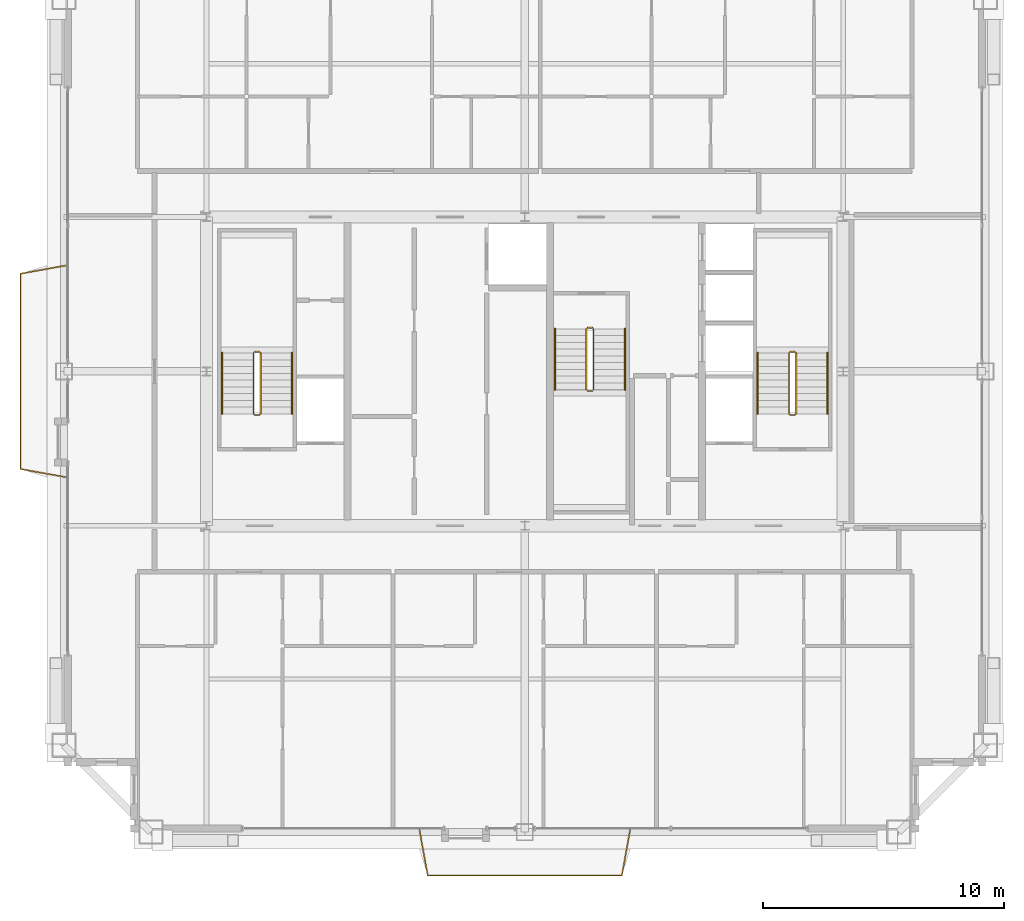
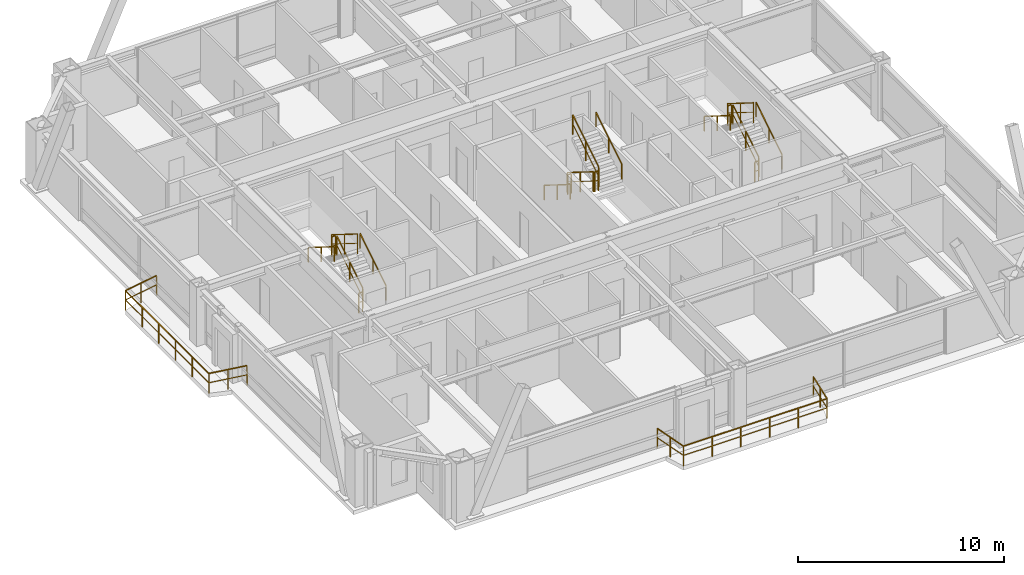
# One storey, part 33 of 33: 20 railings.
"""IFC4 building model written with IfcOpenShell, lengths in metres."""

from ifc_helpers import new_model, si_unit, direction, frame, origin, origin_2d, place, context, subcontext, project, spatial, rectangle, extrude, source, transform, mapped, material, layer, layer_set, type_object, element, save


model = new_model("IFC4")

# Units and contexts
model_context = context("Model", 3, precision=1e-05, world=origin(), true_north=direction((0.0, 1.0)))
body_context = subcontext(model_context, "Body", "Model", "MODEL_VIEW")
ifc_project = project(units=[si_unit("LENGTHUNIT", "METRE"), si_unit("AREAUNIT", "SQUARE_METRE"), si_unit("VOLUMEUNIT", "CUBIC_METRE"), si_unit("PLANEANGLEUNIT", "RADIAN"), si_unit("MASSUNIT", "GRAM", prefix="KILO"), si_unit("THERMODYNAMICTEMPERATUREUNIT", "KELVIN"), si_unit("POWERUNIT", "WATT")], contexts=[model_context])

# Site, building, storey
site_placement = place(None, origin())
site = spatial("IfcSite", under=ifc_project, at=site_placement, CompositionType="ELEMENT")
building_placement = place(site_placement, origin())
building = spatial("IfcBuilding", under=site, at=building_placement, Name="Yuzanri Waterfront Tower", CompositionType="ELEMENT")
storey_placement = place(building_placement, frame((0.0, 0.0, 292.60009765625)))
storey = spatial("IfcBuildingStorey", under=building, at=storey_placement, Name="L78", CompositionType="ELEMENT", Elevation=292.60009765625)

# Railings
ifc_material_1 = material(Name="Anodized Architectural Bronze", Category="metal")
ifc_layer_1 = layer(ifc_material_1, 0.080078125)
ifc_layer_set_1 = layer_set([ifc_layer_1], Name="Anodized Architectural Bronze")
railing_type_1 = type_object("IfcRailingType", Name="Laminated Glass and Bronze Balcony Guardrail 1200", PredefinedType="BALUSTRADE", material=ifc_layer_set_1)
shared_shape_1 = source(origin(), body_context, "Body", "SweptSolid", [
    extrude(rectangle(XDim=0.050048828125, YDim=0.050048828125, at=origin_2d()), frame((0.0, 0.0, 1.1748046875), z_axis=(0.176608994286, -0.984281089495, 0.0), x_axis=(0.984281089495, 0.176608994286, 0.0)), (0.0, 0.0, 1.0), 1.982421875),
    extrude(rectangle(XDim=0.035888671875, YDim=0.030029296875, at=origin_2d()), frame((0.0, 0.0, 0.6240234375), z_axis=(0.176608994286, -0.984281089495, 0.0), x_axis=(0.984281089495, 0.176608994286, 0.0)), (0.0, 0.0, 1.0), 1.982421875),
    extrude(rectangle(XDim=0.050048828125, YDim=0.050048828125, at=origin_2d()), frame((0.35009765625, -1.951171875, 1.1748046875), z_axis=(1.0, 0.0, 0.0), x_axis=(0.0, 1.0, 0.0)), (0.0, 0.0, 1.0), 8.05078125),
    extrude(rectangle(XDim=0.035888671875, YDim=0.030029296875, at=origin_2d()), frame((0.35009765625, -1.951171875, 0.6240234375), z_axis=(1.0, 0.0, 0.0), x_axis=(0.0, 1.0, 0.0)), (0.0, 0.0, 1.0), 8.05078125),
    extrude(rectangle(XDim=0.050048828125, YDim=0.050048828125, at=origin_2d()), frame((8.40087890625, -1.951171875, 1.1748046875), z_axis=(0.176608994286, 0.984281089495, 0.0), x_axis=(-0.984281089495, 0.176608994286, 0.0)), (0.0, 0.0, 1.0), 1.982421875),
    extrude(rectangle(XDim=0.035888671875, YDim=0.030029296875, at=origin_2d()), frame((8.40087890625, -1.951171875, 0.6240234375), z_axis=(0.176608994286, 0.984281089495, 0.0), x_axis=(-0.984281089495, 0.176608994286, 0.0)), (0.0, 0.0, 1.0), 1.982421875),
    extrude(rectangle(XDim=0.0458984375, YDim=0.0458984375, at=origin_2d()), origin(), (0.0, 0.0, 1.0), 1.14990234375),
    extrude(rectangle(XDim=0.0458984375, YDim=0.0458984375, at=origin_2d()), frame((0.175048828125, -0.9755859375, 0.0)), (0.0, 0.0, 1.0), 1.14990234375),
    extrude(rectangle(XDim=0.0458984375, YDim=0.0458984375, at=origin_2d()), frame((0.35009765625, -1.951171875, 0.0)), (0.0, 0.0, 1.0), 1.14990234375),
    extrude(rectangle(XDim=0.0458984375, YDim=0.0458984375, at=origin_2d()), frame((1.960205078125, -1.951171875, 0.0)), (0.0, 0.0, 1.0), 1.14990234375),
    extrude(rectangle(XDim=0.0458984375, YDim=0.0458984375, at=origin_2d()), frame((3.5703125, -1.951171875, 0.0)), (0.0, 0.0, 1.0), 1.14990234375),
    extrude(rectangle(XDim=0.0458984375, YDim=0.0458984375, at=origin_2d()), frame((5.1806640625, -1.951171875, 0.0)), (0.0, 0.0, 1.0), 1.14990234375),
    extrude(rectangle(XDim=0.0458984375, YDim=0.0458984375, at=origin_2d()), frame((6.790771484375, -1.951171875, 0.0)), (0.0, 0.0, 1.0), 1.14990234375),
    extrude(rectangle(XDim=0.0458984375, YDim=0.0458984375, at=origin_2d()), frame((8.40087890625, -1.951171875, 0.0)), (0.0, 0.0, 1.0), 1.14990234375),
    extrude(rectangle(XDim=0.0458984375, YDim=0.0458984375, at=origin_2d()), frame((8.575927734375, -0.9755859375, 0.0)), (0.0, 0.0, 1.0), 1.14990234375),
    extrude(rectangle(XDim=0.0458984375, YDim=0.0458984375, at=origin_2d()), frame((8.7509765625, 0.0, 0.0)), (0.0, 0.0, 1.0), 1.14990234375),
])
railing_1_placement = place(storey_placement, frame((32.62451171875, 6.85009765625, 0.0)))
element("IfcRailing", 1, at=railing_1_placement, inside=storey, type_object=railing_type_1, Name="L78 S Engawa Terrace Guardrail", PredefinedType="BALUSTRADE", context=body_context, shape_type="MappedRepresentation", body=[
    mapped(shared_shape_1, transform((0.0, 0.0, 0.0), scale=1.0)),
])
shared_shape_2 = source(origin(), body_context, "Body", "SweptSolid", [
    extrude(rectangle(XDim=0.050048828125, YDim=0.050048828125, at=origin_2d()), frame((0.0, 0.0, 1.1748046875), z_axis=(-0.984277247398, 0.176630405803, 0.0), x_axis=(-0.176630405803, -0.984277247398, 0.0)), (0.0, 0.0, 1.0), 1.982177734375),
    extrude(rectangle(XDim=0.035888671875, YDim=0.030029296875, at=origin_2d()), frame((0.0, 0.0, 0.6240234375), z_axis=(-0.984277247398, 0.176630405803, 0.0), x_axis=(-0.176630405803, -0.984277247398, 0.0)), (0.0, 0.0, 1.0), 1.982177734375),
    extrude(rectangle(XDim=0.050048828125, YDim=0.050048828125, at=origin_2d()), frame((-1.950927734375, 0.35009765625, 1.1748046875), z_axis=(0.0, 1.0, 0.0), x_axis=(-1.0, 0.0, 0.0)), (0.0, 0.0, 1.0), 8.10009765625),
    extrude(rectangle(XDim=0.035888671875, YDim=0.030029296875, at=origin_2d()), frame((-1.950927734375, 0.35009765625, 0.6240234375), z_axis=(0.0, 1.0, 0.0), x_axis=(-1.0, 0.0, 0.0)), (0.0, 0.0, 1.0), 8.10009765625),
    extrude(rectangle(XDim=0.050048828125, YDim=0.050048828125, at=origin_2d()), frame((-1.950927734375, 8.4501953125, 1.1748046875), z_axis=(0.984298654701, 0.176511071479, 0.0), x_axis=(-0.176511071479, 0.984298654701, 0.0)), (0.0, 0.0, 1.0), 1.98193359375),
    extrude(rectangle(XDim=0.035888671875, YDim=0.030029296875, at=origin_2d()), frame((-1.950927734375, 8.4501953125, 0.6240234375), z_axis=(0.984298654701, 0.176511071479, 0.0), x_axis=(-0.176511071479, 0.984298654701, 0.0)), (0.0, 0.0, 1.0), 1.98193359375),
    extrude(rectangle(XDim=0.0458984375, YDim=0.0458984375, at=origin_2d()), origin(), (0.0, 0.0, 1.0), 1.14990234375),
    extrude(rectangle(XDim=0.0458984375, YDim=0.0458984375, at=origin_2d()), frame((-0.9755859375, 0.175048828125, 0.0)), (0.0, 0.0, 1.0), 1.14990234375),
    extrude(rectangle(XDim=0.0458984375, YDim=0.0458984375, at=origin_2d()), frame((-1.950927734375, 0.35009765625, 0.0)), (0.0, 0.0, 1.0), 1.14990234375),
    extrude(rectangle(XDim=0.0458984375, YDim=0.0458984375, at=origin_2d()), frame((-1.950927734375, 1.97021484375, 0.0)), (0.0, 0.0, 1.0), 1.14990234375),
    extrude(rectangle(XDim=0.0458984375, YDim=0.0458984375, at=origin_2d()), frame((-1.950927734375, 3.590087890625, 0.0)), (0.0, 0.0, 1.0), 1.14990234375),
    extrude(rectangle(XDim=0.0458984375, YDim=0.0458984375, at=origin_2d()), frame((-1.950927734375, 5.210205078125, 0.0)), (0.0, 0.0, 1.0), 1.14990234375),
    extrude(rectangle(XDim=0.0458984375, YDim=0.0458984375, at=origin_2d()), frame((-1.950927734375, 6.830078125, 0.0)), (0.0, 0.0, 1.0), 1.14990234375),
    extrude(rectangle(XDim=0.0458984375, YDim=0.0458984375, at=origin_2d()), frame((-1.950927734375, 8.4501953125, 0.0)), (0.0, 0.0, 1.0), 1.14990234375),
    extrude(rectangle(XDim=0.0458984375, YDim=0.0458984375, at=origin_2d()), frame((-0.9755859375, 8.625, 0.0)), (0.0, 0.0, 1.0), 1.14990234375),
    extrude(rectangle(XDim=0.0458984375, YDim=0.0458984375, at=origin_2d()), frame((0.0, 8.800048828125, 0.0)), (0.0, 0.0, 1.0), 1.14990234375),
])
railing_2_placement = place(storey_placement, frame((18.050048828125, 21.39990234375, 0.0)))
element("IfcRailing", 2, at=railing_2_placement, inside=storey, type_object=railing_type_1, Name="L78 W Engawa Terrace Guardrail", PredefinedType="BALUSTRADE", context=body_context, shape_type="MappedRepresentation", body=[
    mapped(shared_shape_2, transform((0.0, 0.0, 0.0), scale=1.0)),
])
ifc_material_2 = material(Name="Painted Galvanized Fire Steel", Category="steel")
ifc_layer_2 = layer(ifc_material_2, 0.06005859375)
ifc_layer_set_2 = layer_set([ifc_layer_2], Name="Painted Galvanized Fire Steel")
railing_type_2 = type_object("IfcRailingType", Name="Painted Steel Stairwell Guardrail 1120", PredefinedType="GUARDRAIL", material=ifc_layer_set_2)
shared_shape_3 = source(origin(), body_context, "Body", "SweptSolid", [
    extrude(rectangle(XDim=0.050048828125, YDim=0.050048828125, at=origin_2d()), frame((0.0, 0.0, 1.1748046875), z_axis=(-1.0, 0.0, 0.0), x_axis=(0.0, -1.0, 0.0)), (0.0, 0.0, 1.0), 0.199951171875),
    extrude(rectangle(XDim=0.035888671875, YDim=0.030029296875, at=origin_2d()), frame((0.0, 0.0, 0.6240234375), z_axis=(-1.0, 0.0, 0.0), x_axis=(0.0, -1.0, 0.0)), (0.0, 0.0, 1.0), 0.199951171875),
    extrude(rectangle(XDim=0.0458984375, YDim=0.0458984375, at=origin_2d()), origin(), (0.0, 0.0, 1.0), 1.14990234375),
    extrude(rectangle(XDim=0.0458984375, YDim=0.0458984375, at=origin_2d()), frame((-0.199951171875, 0.0, 0.0)), (0.0, 0.0, 1.0), 1.14990234375),
])
for number, where, name in (
    (3, (26.0, 26.610107421875, 1.75), "L78 ST-01 stair guard 2"),
    (4, (26.0, 23.989990234375, 0.0), "L78 ST-01 stair guard 4"),
    (5, (48.199951171875, 26.610107421875, 1.75), "L78 ST-02 stair guard 2"),
    (6, (48.199951171875, 23.989990234375, 0.0), "L78 ST-02 stair guard 4"),
):
    element("IfcRailing", number, at=place(storey_placement, frame(where)), inside=storey, type_object=railing_type_2, Name=name, PredefinedType="GUARDRAIL", context=body_context, shape_type="MappedRepresentation", body=[
        mapped(shared_shape_3, transform((0.0, 0.0, 0.0), scale=1.0)),
    ])
shared_shape_4 = source(origin(), body_context, "Body", "SweptSolid", [
    extrude(rectangle(XDim=0.050048828125, YDim=0.050048828125, at=origin_2d()), frame((0.0, 0.0, 1.1748046875), z_axis=(0.0, 0.847970611238, 0.530043245855), x_axis=(-1.0, 0.0, 0.0)), (0.0, 0.0, 1.0), 2.971923828125),
    extrude(rectangle(XDim=0.035888671875, YDim=0.030029296875, at=origin_2d()), frame((0.0, 0.0, 0.6240234375), z_axis=(0.0, 0.847970611238, 0.530043245855), x_axis=(-1.0, 0.0, 0.0)), (0.0, 0.0, 1.0), 2.971923828125),
    extrude(rectangle(XDim=0.0458984375, YDim=0.0458984375, at=origin_2d()), origin(), (0.0, 0.0, 1.0), 1.14990234375),
    extrude(rectangle(XDim=0.0458984375, YDim=0.0458984375, at=origin_2d()), frame((0.0, 1.260009765625, 0.78759765625)), (0.0, 0.0, 1.0), 1.14990234375),
    extrude(rectangle(XDim=0.0458984375, YDim=0.0458984375, at=origin_2d()), frame((0.0, 2.52001953125, 1.5751953125)), (0.0, 0.0, 1.0), 1.14990234375),
])
for number, where, name in (
    (7, (26.050048828125, 24.0400390625, 0.1748046875), "L78 ST-01 stair guard 1"),
    (8, (48.25, 24.0400390625, 0.1748046875), "L78 ST-02 stair guard 1"),
    (9, (39.85009765625, 25.0400390625, 1.9248046875), "L78 ST-03 stair guard 3"),
):
    element("IfcRailing", number, at=place(storey_placement, frame(where)), inside=storey, type_object=railing_type_2, Name=name, PredefinedType="GUARDRAIL", context=body_context, shape_type="MappedRepresentation", body=[
        mapped(shared_shape_4, transform((0.0, 0.0, 0.0), scale=1.0)),
    ])
shared_shape_5 = source(origin(), body_context, "Body", "SweptSolid", [
    extrude(rectangle(XDim=0.050048828125, YDim=0.050048828125, at=origin_2d()), frame((0.0, 0.0, 1.1748046875), z_axis=(0.0, -0.847970611238, 0.530043245855), x_axis=(1.0, 0.0, 0.0)), (0.0, 0.0, 1.0), 2.971923828125),
    extrude(rectangle(XDim=0.035888671875, YDim=0.030029296875, at=origin_2d()), frame((0.0, 0.0, 0.6240234375), z_axis=(0.0, -0.847970611238, 0.530043245855), x_axis=(1.0, 0.0, 0.0)), (0.0, 0.0, 1.0), 2.971923828125),
    extrude(rectangle(XDim=0.0458984375, YDim=0.0458984375, at=origin_2d()), origin(), (0.0, 0.0, 1.0), 1.14990234375),
    extrude(rectangle(XDim=0.0458984375, YDim=0.0458984375, at=origin_2d()), frame((0.0, -1.260009765625, 0.78759765625)), (0.0, 0.0, 1.0), 1.14990234375),
    extrude(rectangle(XDim=0.0458984375, YDim=0.0458984375, at=origin_2d()), frame((0.0, -2.52001953125, 1.5751953125)), (0.0, 0.0, 1.0), 1.14990234375),
])
for number, where, name in (
    (10, (25.75, 26.56005859375, 1.9248046875), "L78 ST-01 stair guard 3"),
    (11, (47.949951171875, 26.56005859375, 1.9248046875), "L78 ST-02 stair guard 3"),
    (12, (39.550048828125, 27.56005859375, 0.1748046875), "L78 ST-03 stair guard 1"),
):
    element("IfcRailing", number, at=place(storey_placement, frame(where)), inside=storey, type_object=railing_type_2, Name=name, PredefinedType="GUARDRAIL", context=body_context, shape_type="MappedRepresentation", body=[
        mapped(shared_shape_5, transform((0.0, 0.0, 0.0), scale=1.0)),
    ])
ifc_material_3 = material(Name="Anodized Architectural Bronze", Category="metal")
ifc_layer_3 = layer(ifc_material_3, 0.050048828125)
ifc_layer_set_3 = layer_set([ifc_layer_3], Name="Anodized Architectural Bronze")
railing_type_3 = type_object("IfcRailingType", Name="Brushed Bronze Stair Pitch Handrail 920", PredefinedType="HANDRAIL", material=ifc_layer_set_3)
shared_shape_6 = source(origin(), body_context, "Body", "SweptSolid", [
    extrude(rectangle(XDim=0.050048828125, YDim=0.050048828125, at=origin_2d()), frame((0.0, 0.0, 0.875), z_axis=(0.0, 0.847970611238, 0.530043245855), x_axis=(-1.0, 0.0, 0.0)), (0.0, 0.0, 1.0), 2.971923828125),
    extrude(rectangle(XDim=0.0458984375, YDim=0.0458984375, at=origin_2d()), origin(), (0.0, 0.0, 1.0), 0.849853515625),
    extrude(rectangle(XDim=0.0458984375, YDim=0.0458984375, at=origin_2d()), frame((0.0, 1.260009765625, 0.78759765625)), (0.0, 0.0, 1.0), 0.849853515625),
    extrude(rectangle(XDim=0.0458984375, YDim=0.0458984375, at=origin_2d()), frame((0.0, 2.52001953125, 1.5751953125)), (0.0, 0.0, 1.0), 0.849853515625),
])
for number, where, name in (
    (13, (27.35009765625, 24.0400390625, 0.1748046875), "L78 ST-01 stair handrail 1"),
    (14, (49.550048828125, 24.0400390625, 0.1748046875), "L78 ST-02 stair handrail 1"),
    (15, (41.14990234375, 25.0400390625, 1.9248046875), "L78 ST-03 stair handrail 2"),
):
    element("IfcRailing", number, at=place(storey_placement, frame(where)), inside=storey, type_object=railing_type_3, Name=name, PredefinedType="HANDRAIL", context=body_context, shape_type="MappedRepresentation", body=[
        mapped(shared_shape_6, transform((0.0, 0.0, 0.0), scale=1.0)),
    ])
shared_shape_7 = source(origin(), body_context, "Body", "SweptSolid", [
    extrude(rectangle(XDim=0.050048828125, YDim=0.050048828125, at=origin_2d()), frame((0.0, 0.0, 0.875), z_axis=(0.0, -0.847970611238, 0.530043245855), x_axis=(1.0, 0.0, 0.0)), (0.0, 0.0, 1.0), 2.971923828125),
    extrude(rectangle(XDim=0.0458984375, YDim=0.0458984375, at=origin_2d()), origin(), (0.0, 0.0, 1.0), 0.849853515625),
    extrude(rectangle(XDim=0.0458984375, YDim=0.0458984375, at=origin_2d()), frame((0.0, -1.260009765625, 0.78759765625)), (0.0, 0.0, 1.0), 0.849853515625),
    extrude(rectangle(XDim=0.0458984375, YDim=0.0458984375, at=origin_2d()), frame((0.0, -2.52001953125, 1.5751953125)), (0.0, 0.0, 1.0), 0.849853515625),
])
for number, where, name in (
    (16, (24.449951171875, 26.56005859375, 1.9248046875), "L78 ST-01 stair handrail 2"),
    (17, (46.64990234375, 26.56005859375, 1.9248046875), "L78 ST-02 stair handrail 2"),
    (18, (38.25, 27.56005859375, 0.1748046875), "L78 ST-03 stair handrail 1"),
):
    element("IfcRailing", number, at=place(storey_placement, frame(where)), inside=storey, type_object=railing_type_3, Name=name, PredefinedType="HANDRAIL", context=body_context, shape_type="MappedRepresentation", body=[
        mapped(shared_shape_7, transform((0.0, 0.0, 0.0), scale=1.0)),
    ])
shared_shape_8 = source(origin(), body_context, "Body", "SweptSolid", [
    extrude(rectangle(XDim=0.050048828125, YDim=0.050048828125, at=origin_2d()), frame((0.0, 0.0, 1.1748046875), z_axis=(1.0, 0.0, 0.0), x_axis=(0.0, 1.0, 0.0)), (0.0, 0.0, 1.0), 0.199951171875),
    extrude(rectangle(XDim=0.035888671875, YDim=0.030029296875, at=origin_2d()), frame((0.0, 0.0, 0.6240234375), z_axis=(1.0, 0.0, 0.0), x_axis=(0.0, 1.0, 0.0)), (0.0, 0.0, 1.0), 0.199951171875),
    extrude(rectangle(XDim=0.0458984375, YDim=0.0458984375, at=origin_2d()), origin(), (0.0, 0.0, 1.0), 1.14990234375),
    extrude(rectangle(XDim=0.0458984375, YDim=0.0458984375, at=origin_2d()), frame((0.199951171875, 0.0, 0.0)), (0.0, 0.0, 1.0), 1.14990234375),
])
for number, where, name in (
    (19, (39.60009765625, 24.989990234375, 1.75), "L78 ST-03 stair guard 2"),
    (20, (39.60009765625, 27.610107421875, 0.0), "L78 ST-03 stair guard 4"),
):
    element("IfcRailing", number, at=place(storey_placement, frame(where)), inside=storey, type_object=railing_type_2, Name=name, PredefinedType="GUARDRAIL", context=body_context, shape_type="MappedRepresentation", body=[
        mapped(shared_shape_8, transform((0.0, 0.0, 0.0), scale=1.0)),
    ])

save(model, "model.ifc")
